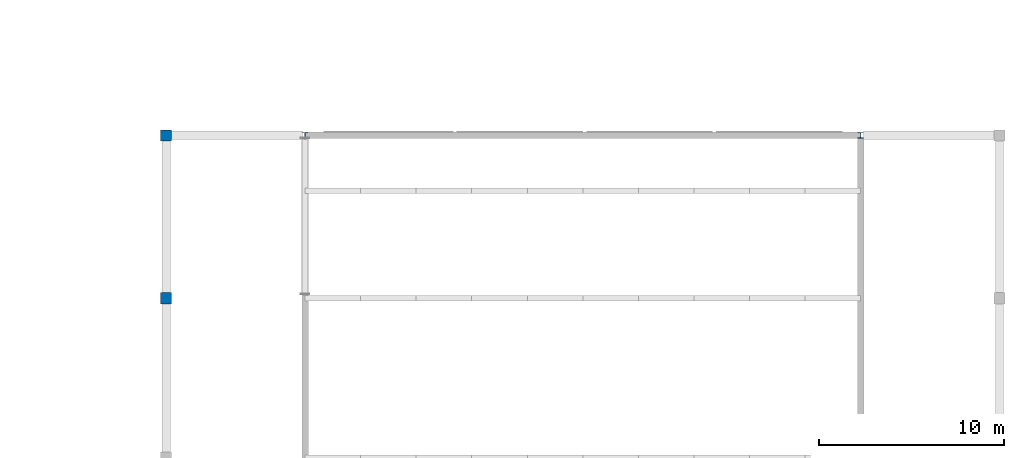
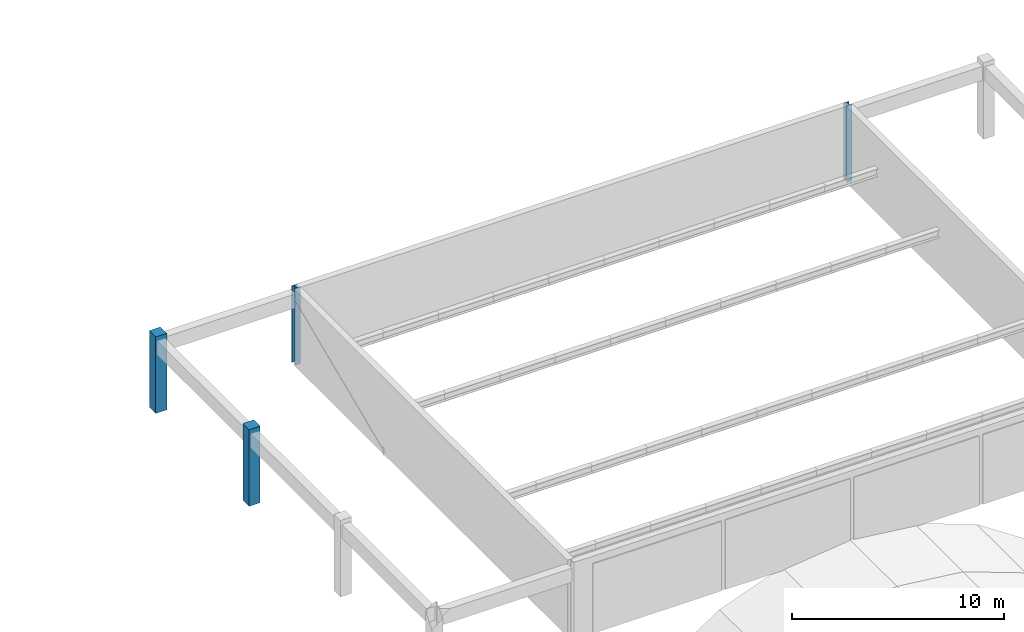
# One storey, part 4 of 47: 4 columns.
"""IFC4 building model written with IfcOpenShell, lengths in metres."""

from ifc_helpers import new_model, si_unit, direction, frame, origin, origin_2d, place, context, subcontext, project, spatial, rectangle, i_section, extrude, material, material_profile, profile_set, type_object, element, save


model = new_model("IFC4")

# Units and contexts
model_context = context("Model", 3, precision=1e-05, world=origin(), true_north=direction((0.0, 1.0)))
body_context = subcontext(model_context, "Body", "Model", "MODEL_VIEW")
ifc_project = project(units=[si_unit("LENGTHUNIT", "METRE"), si_unit("AREAUNIT", "SQUARE_METRE"), si_unit("VOLUMEUNIT", "CUBIC_METRE"), si_unit("PLANEANGLEUNIT", "RADIAN"), si_unit("MASSUNIT", "GRAM", prefix="KILO")], contexts=[model_context])

# Site, building, storey
site_placement = place(None, origin())
site = spatial("IfcSite", under=ifc_project, at=site_placement, CompositionType="ELEMENT")
building_placement = place(site_placement, origin())
building = spatial("IfcBuilding", under=site, at=building_placement, Name="Muzn Square Opera House", CompositionType="ELEMENT")
storey_placement = place(building_placement, frame((0.0, 0.0, 31.0)))
storey = spatial("IfcBuildingStorey", under=building, at=storey_placement, Name="RF-1", CompositionType="ELEMENT", Elevation=31.0)

# Columns
ifc_material_1 = material(Name="Concrete C45/55", Category="concrete")
ifc_material_profile_1 = material_profile(ifc_material_1, rectangle(XDim=0.60009765625, YDim=0.60009765625, at=origin_2d()), Name="RC 600x600", Category="concrete")
ifc_profile_set_1 = profile_set([ifc_material_profile_1], Name="Concrete C45/55")
column_type_1 = type_object("IfcColumnType", Name="Frame Column 600x600", PredefinedType="COLUMN", material=ifc_profile_set_1)
for number, where, z_axis, x_axis, name in (
    (1, (65.5, 89.800048828125, 0.0), (0.0, 0.0, 1.0), (1.0, 0.0, 0.0), "Column COL-RF1-COL-600-655_898"),
    (2, (65.5, 98.60009765625, 0.0), (0.0, 0.0, 1.0), (1.0, 0.0, 0.0), "Column COL-RF1-COL-600-655_986"),
):
    element("IfcColumn", number, at=place(storey_placement, frame(where, z_axis=z_axis, x_axis=x_axis)), inside=storey, type_object=column_type_1, Name=name, PredefinedType="COLUMN", context=body_context, shape_type="SweptSolid", body=[
        extrude(rectangle(XDim=0.60009765625, YDim=0.60009765625, at=origin_2d()), origin(), (0.0, 0.0, 1.0), 4.39990234375),
    ])
ifc_material_2 = material(Name="Steel S355", Category="steel")
ifc_material_profile_2 = material_profile(ifc_material_2, i_section(OverallWidth=0.300048828125, OverallDepth=0.300048828125, WebThickness=0.010986328125, FlangeThickness=0.01904296875, FilletRadius=0.027099609375, at=origin_2d()), Name="HEB 300", Category="steel")
ifc_profile_set_2 = profile_set([ifc_material_profile_2], Name="Steel S355")
column_type_2 = type_object("IfcColumnType", Name="Steel Gallery Column HEB300", PredefinedType="COLUMN", material=ifc_profile_set_2)
for number, where, z_axis, x_axis, name in (
    (3, (73.0, 98.60009765625, 0.0), (0.0, 0.0, 1.0), (1.0, 0.0, 0.0), "Column COL-RF1-COL-HEB300-730_986"),
    (4, (103.0, 98.60009765625, 0.0), (0.0, 0.0, 1.0), (1.0, 0.0, 0.0), "Column COL-RF1-COL-HEB300-1030_986"),
):
    element("IfcColumn", number, at=place(storey_placement, frame(where, z_axis=z_axis, x_axis=x_axis)), inside=storey, type_object=column_type_2, Name=name, PredefinedType="COLUMN", context=body_context, shape_type="SweptSolid", body=[
        extrude(i_section(OverallWidth=0.300048828125, OverallDepth=0.300048828125, WebThickness=0.010986328125, FlangeThickness=0.01904296875, FilletRadius=0.027099609375, at=origin_2d()), origin(), (0.0, 0.0, 1.0), 4.39990234375),
    ])

save(model, "model.ifc")
